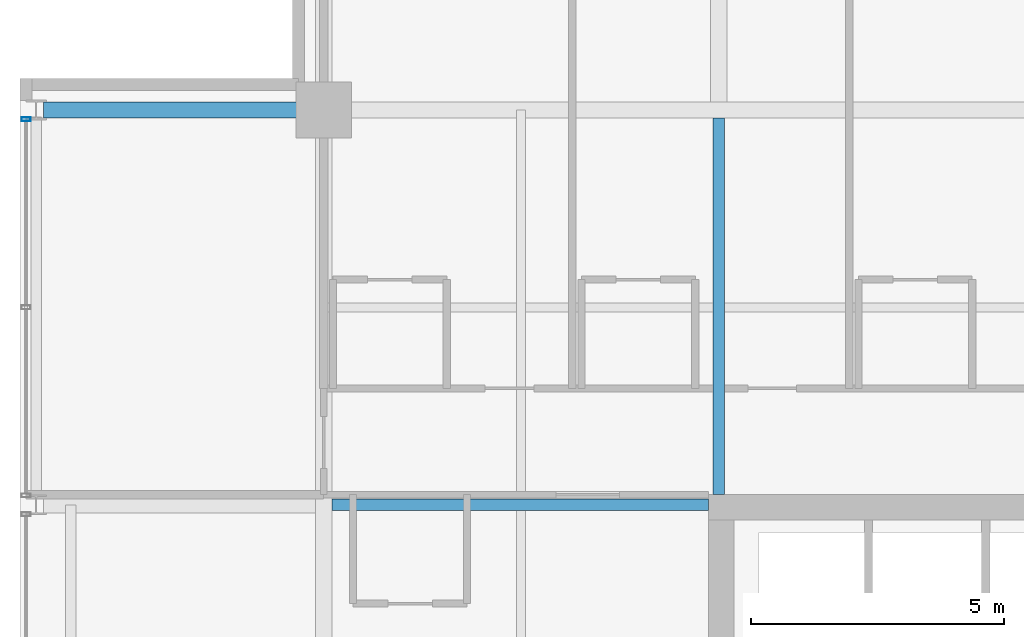
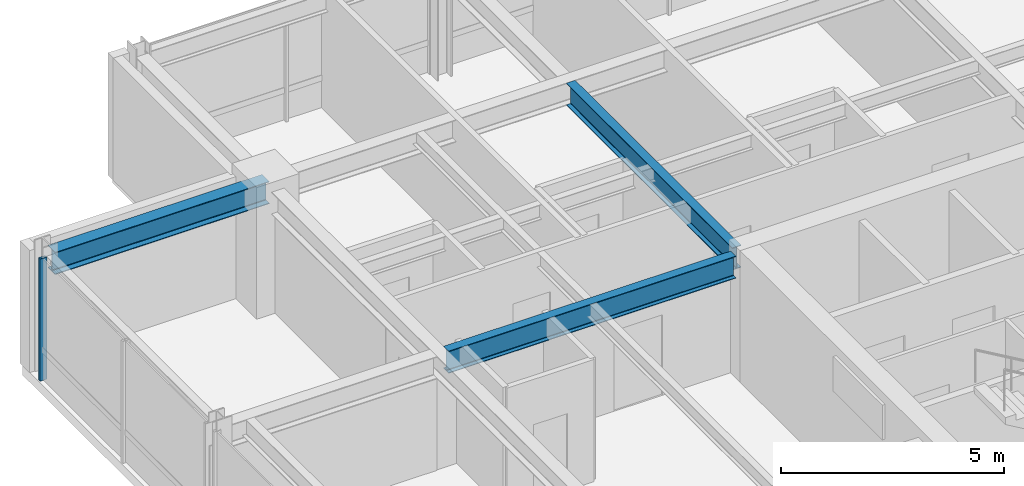
# One storey, part 18 of 33: 3 beams, 1 member, 1 element without a shape of its own.
"""IFC4 building model written with IfcOpenShell, lengths in metres."""

from ifc_helpers import new_model, si_unit, direction, frame, origin, origin_2d, place, context, subcontext, project, spatial, hollow_rectangle, i_section, extrude, material, layer, layer_set, material_profile, profile_set, type_object, element, aggregate, save


model = new_model("IFC4")

# Units and contexts
model_context = context("Model", 3, precision=1e-05, world=origin(), true_north=direction((0.0, 1.0)))
body_context = subcontext(model_context, "Body", "Model", "MODEL_VIEW")
ifc_project = project(units=[si_unit("LENGTHUNIT", "METRE"), si_unit("AREAUNIT", "SQUARE_METRE"), si_unit("VOLUMEUNIT", "CUBIC_METRE"), si_unit("PLANEANGLEUNIT", "RADIAN"), si_unit("MASSUNIT", "GRAM", prefix="KILO")], contexts=[model_context])

# Site, building, storey
site_placement = place(None, origin())
site = spatial("IfcSite", under=ifc_project, at=site_placement, CompositionType="ELEMENT")
building_placement = place(site_placement, origin())
building = spatial("IfcBuilding", under=site, at=building_placement, Name="Drelvath Grand Hotel", CompositionType="ELEMENT")
storey_placement = place(building_placement, frame((0.0, 0.0, 212.300048828125)))
storey = spatial("IfcBuildingStorey", under=building, at=storey_placement, Name="L55", CompositionType="ELEMENT", Elevation=212.300048828125)

# Curtain wall, member
ifc_material_1 = material(Name="Platinum-Mist Anodised Aluminium Frame", Category="aluminium")
ifc_layer = layer(ifc_material_1, 0.199951171875)
ifc_layer_set = layer_set([ifc_layer], Name="Platinum-Mist Anodised Aluminium Frame")
curtain_wall_type = type_object("IfcCurtainWallType", Name="Stick Curtain Wall CW-05 Platinum Mist High-Rise", PredefinedType="NOTDEFINED", material=ifc_layer_set)
curtain_wall_placement = place(storey_placement, origin())
curtain_wall = element("IfcCurtainWall", 1, at=curtain_wall_placement, inside=storey, type_object=curtain_wall_type, Name="L55 CW-05 Curtain Wall CW05-L55-WN2", PredefinedType="NOTDEFINED")
ifc_material_profile_1 = material_profile(ifc_material_1, hollow_rectangle(XDim=0.074951171875, YDim=0.179931640625, WallThickness=0.0048828125, at=origin_2d()), Name="HSS180X75X5")
ifc_profile_set_1 = profile_set([ifc_material_profile_1], Name="Platinum-Mist Anodised Aluminium Frame")
member_type = type_object("IfcMemberType", Name="Curtain Wall Vertical Mullion CW-05 HSS180X75X5", PredefinedType="MULLION", material=ifc_profile_set_1)
member_placement = place(storey_placement, frame((-22.080078125, 43.0146484375, 0.0), z_axis=(0.0, 0.0, 1.0), x_axis=(0.0, 1.0, 0.0)))
member = element("IfcMember", 2, at=member_placement, type_object=member_type, Name="CW05-L55-WN2 Mullion 3", PredefinedType="MULLION", context=body_context, shape_type="SweptSolid", body=[
    extrude(hollow_rectangle(XDim=0.074951171875, YDim=0.179931640625, WallThickness=0.0048828125, at=origin_2d()), origin(), (0.0, 0.0, 1.0), 3.33984375),
])
aggregate(curtain_wall, [member])

# Beams
ifc_material_2 = material(Name="Steel ASTM A992 Gr 50", Category="steel")
ifc_material_profile_2 = material_profile(ifc_material_2, i_section(OverallWidth=0.323974609375, OverallDepth=0.611083984375, WebThickness=0.0126953125, FlangeThickness=0.01904296875, FilletRadius=0.02197265625, at=origin_2d()), Name="W24X104")
ifc_profile_set_2 = profile_set([ifc_material_profile_2], Name="Steel ASTM A992 Gr 50")
beam_type_1 = type_object("IfcBeamType", Name="Primary Floor Girder W24X104", PredefinedType="BEAM", material=ifc_profile_set_2)
beam_placement = place(storey_placement, frame((-21.739990234375, 43.199951171875, 3.034423828125), z_axis=(1.0, 0.0, 0.0), x_axis=(0.0, 1.0, 0.0)))
element("IfcBeam", 3, at=beam_placement, inside=storey, type_object=beam_type_1, Name="L55 West Grid Girder G", PredefinedType="BEAM", context=body_context, shape_type="SweptSolid", body=[
    extrude(i_section(OverallWidth=0.323974609375, OverallDepth=0.611083984375, WebThickness=0.0126953125, FlangeThickness=0.01904296875, FilletRadius=0.02197265625, at=origin_2d()), origin(), (0.0, 0.0, 1.0), 5.5400390625),
])
ifc_material_profile_3 = material_profile(ifc_material_2, i_section(OverallWidth=0.228271484375, OverallDepth=0.607666015625, WebThickness=0.01123046875, FlangeThickness=0.017333984375, FilletRadius=0.02001953125, at=origin_2d()), Name="W24X76")
ifc_profile_set_3 = profile_set([ifc_material_profile_3], Name="Steel ASTM A992 Gr 50")
beam_type_2 = type_object("IfcBeamType", Name="Primary Floor Girder W24X76", PredefinedType="BEAM", material=ifc_profile_set_3)
for number, where, z_axis, x_axis, name in (
    (4, (-16.0380859375, 35.39990234375, 3.0361328125), (1.0, 0.0, 0.0), (0.0, 1.0, 0.0), "L55 West Core Tie F"),
    (5, (-8.39990234375, 35.60009765625, 3.0361328125), (0.0, 1.0, 0.0), (-1.0, 0.0, 0.0), "L55 North Core Tie 4"),
):
    element("IfcBeam", number, at=place(storey_placement, frame(where, z_axis=z_axis, x_axis=x_axis)), inside=storey, type_object=beam_type_2, Name=name, PredefinedType="BEAM", context=body_context, shape_type="SweptSolid", body=[
        extrude(i_section(OverallWidth=0.228271484375, OverallDepth=0.607666015625, WebThickness=0.01123046875, FlangeThickness=0.017333984375, FilletRadius=0.02001953125, at=origin_2d()), origin(), (0.0, 0.0, 1.0), 7.43798828125),
    ])

save(model, "model.ifc")
